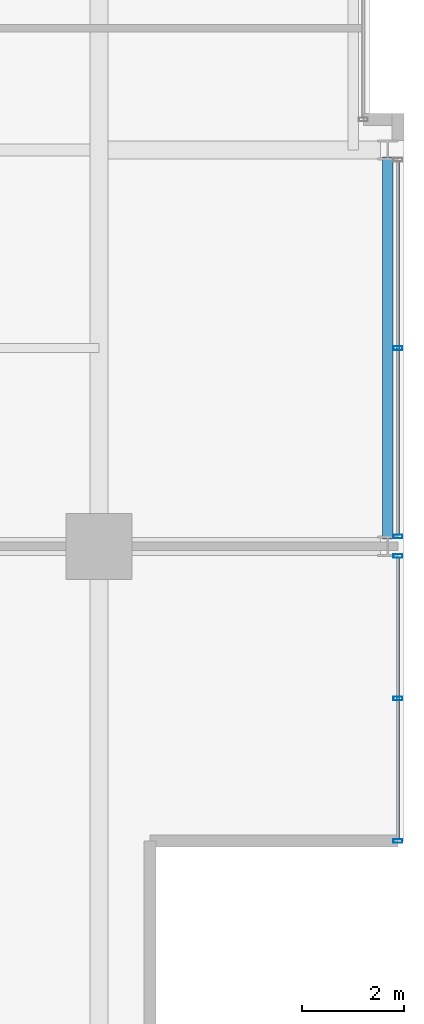
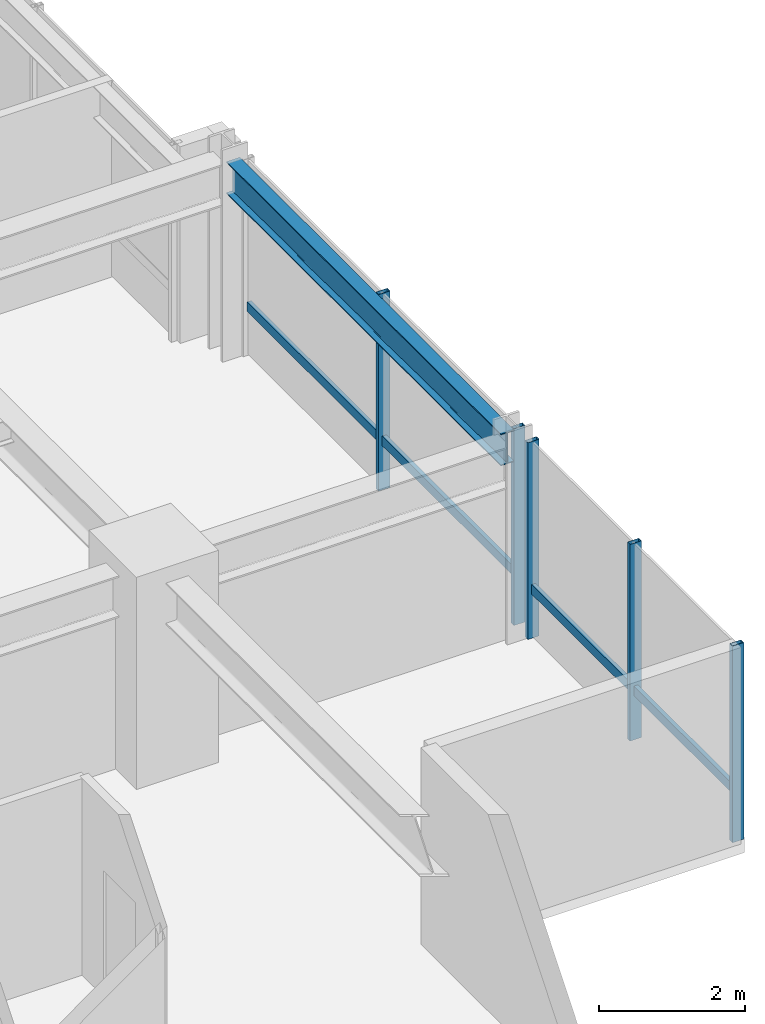
# One storey, part 13 of 31: 7 members, 1 beam, 2 elements without a shape of their own.
"""IFC4 building model written with IfcOpenShell, lengths in metres."""

from ifc_helpers import new_model, si_unit, direction, frame, origin, origin_2d, place, context, subcontext, project, spatial, hollow_rectangle, i_section, extrude, material, layer, layer_set, material_profile, profile_set, type_object, element, aggregate, save


model = new_model("IFC4")

# Units and contexts
model_context = context("Model", 3, precision=1e-05, world=origin(), true_north=direction((0.0, 1.0)))
body_context = subcontext(model_context, "Body", "Model", "MODEL_VIEW")
ifc_project = project(units=[si_unit("LENGTHUNIT", "METRE"), si_unit("AREAUNIT", "SQUARE_METRE"), si_unit("VOLUMEUNIT", "CUBIC_METRE"), si_unit("PLANEANGLEUNIT", "RADIAN"), si_unit("MASSUNIT", "GRAM", prefix="KILO")], contexts=[model_context])

# Site, building, storey
site_placement = place(None, origin())
site = spatial("IfcSite", under=ifc_project, at=site_placement, CompositionType="ELEMENT")
building_placement = place(site_placement, origin())
building = spatial("IfcBuilding", under=site, at=building_placement, Name="Drelvath Grand Hotel", CompositionType="ELEMENT")
storey_placement = place(building_placement, frame((0.0, 0.0, 185.89990234375)))
storey = spatial("IfcBuildingStorey", under=building, at=storey_placement, Name="L48", CompositionType="ELEMENT", Elevation=185.89990234375)

# Curtain wall, member
ifc_material_1 = material(Name="Brushed Pale-Silver Anodised Aluminium Frame", Category="aluminium")
ifc_layer = layer(ifc_material_1, 0.199951171875)
ifc_layer_set = layer_set([ifc_layer], Name="Brushed Pale-Silver Anodised Aluminium Frame")
curtain_wall_type = type_object("IfcCurtainWallType", Name="Stick Curtain Wall CW-04 Brushed Silver Upper-Mid", PredefinedType="NOTDEFINED", material=ifc_layer_set)
curtain_wall_1_placement = place(storey_placement, origin())
curtain_wall_1 = element("IfcCurtainWall", 1, at=curtain_wall_1_placement, inside=storey, type_object=curtain_wall_type, Name="L48 CW-04 Curtain Wall CW04-L48-ES1", PredefinedType="NOTDEFINED")
ifc_material_profile_1 = material_profile(ifc_material_1, hollow_rectangle(XDim=0.06494140625, YDim=0.159912109375, WallThickness=0.00390625, at=origin_2d()), Name="HSS160X65X4")
ifc_profile_set_1 = profile_set([ifc_material_profile_1], Name="Brushed Pale-Silver Anodised Aluminium Frame")
member_type_1 = type_object("IfcMemberType", Name="Curtain Wall Horizontal Transom CW-04 HSS160X65X4", PredefinedType="USERDEFINED", material=ifc_profile_set_1)
member_1_placement = place(storey_placement, frame((22.080078125, 10.568359375, 0.822509765625), z_axis=(0.0, -1.0, 0.0), x_axis=(1.0, 0.0, 0.0)))
member_1 = element("IfcMember", 2, at=member_1_placement, type_object=member_type_1, Name="CW04-L48-ES1 Sill Transom", ObjectType="TRANSOM", PredefinedType="USERDEFINED", context=body_context, shape_type="SweptSolid", body=[
    extrude(hollow_rectangle(XDim=0.06494140625, YDim=0.159912109375, WallThickness=0.00390625, at=origin_2d()), origin(), (0.0, 0.0, 1.0), 5.5283203125),
])

curtain_wall_2_placement = place(storey_placement, origin())
curtain_wall_2 = element("IfcCurtainWall", 3, at=curtain_wall_2_placement, inside=storey, type_object=curtain_wall_type, Name="L48 CW-04 Curtain Wall CW04-L48-ES2", PredefinedType="NOTDEFINED")
member_2_placement = place(storey_placement, frame((22.080078125, 18.368408203125, 0.822509765625), z_axis=(0.0, -1.0, 0.0), x_axis=(1.0, 0.0, 0.0)))
member_2 = element("IfcMember", 4, at=member_2_placement, type_object=member_type_1, Name="CW04-L48-ES2 Sill Transom", ObjectType="TRANSOM", PredefinedType="USERDEFINED", context=body_context, shape_type="SweptSolid", body=[
    extrude(hollow_rectangle(XDim=0.06494140625, YDim=0.159912109375, WallThickness=0.00390625, at=origin_2d()), origin(), (0.0, 0.0, 1.0), 7.336669921875),
])

# Member
ifc_material_profile_2 = material_profile(ifc_material_1, hollow_rectangle(XDim=0.074951171875, YDim=0.179931640625, WallThickness=0.0048828125, at=origin_2d()), Name="HSS180X75X5")
ifc_profile_set_2 = profile_set([ifc_material_profile_2], Name="Brushed Pale-Silver Anodised Aluminium Frame")
member_type_2 = type_object("IfcMemberType", Name="Curtain Wall Vertical Mullion CW-04 HSS180X75X5", PredefinedType="MULLION", material=ifc_profile_set_2)
member_3_placement = place(storey_placement, frame((22.080078125, 10.6083984375, 0.0), z_axis=(0.0, 0.0, 1.0), x_axis=(0.0, 1.0, 0.0)))
member_3 = element("IfcMember", 5, at=member_3_placement, type_object=member_type_2, Name="CW04-L48-ES1 Mullion 1", PredefinedType="MULLION", context=body_context, shape_type="SweptSolid", body=[
    extrude(hollow_rectangle(XDim=0.074951171875, YDim=0.179931640625, WallThickness=0.0048828125, at=origin_2d()), origin(), (0.0, 0.0, 1.0), 3.2900390625),
])

member_4_placement = place(storey_placement, frame((22.080078125, 7.80419921875, 0.0), z_axis=(0.0, 0.0, 1.0), x_axis=(0.0, 1.0, 0.0)))
member_4 = element("IfcMember", 6, at=member_4_placement, type_object=member_type_2, Name="CW04-L48-ES1 Mullion 2", PredefinedType="MULLION", context=body_context, shape_type="SweptSolid", body=[
    extrude(hollow_rectangle(XDim=0.074951171875, YDim=0.179931640625, WallThickness=0.0048828125, at=origin_2d()), origin(), (0.0, 0.0, 1.0), 3.2900390625),
])

member_5_placement = place(storey_placement, frame((22.080078125, 5.0, 0.0), z_axis=(0.0, 0.0, 1.0), x_axis=(0.0, 1.0, 0.0)))
member_5 = element("IfcMember", 7, at=member_5_placement, type_object=member_type_2, Name="CW04-L48-ES1 Mullion 3", PredefinedType="MULLION", context=body_context, shape_type="SweptSolid", body=[
    extrude(hollow_rectangle(XDim=0.074951171875, YDim=0.179931640625, WallThickness=0.0048828125, at=origin_2d()), origin(), (0.0, 0.0, 1.0), 3.2900390625),
])

aggregate(curtain_wall_1, [member_3, member_4, member_5, member_1])

member_6_placement = place(storey_placement, frame((22.080078125, 14.7001953125, 0.0), z_axis=(0.0, 0.0, 1.0), x_axis=(0.0, 1.0, 0.0)))
member_6 = element("IfcMember", 8, at=member_6_placement, type_object=member_type_2, Name="CW04-L48-ES2 Mullion 2", PredefinedType="MULLION", context=body_context, shape_type="SweptSolid", body=[
    extrude(hollow_rectangle(XDim=0.074951171875, YDim=0.179931640625, WallThickness=0.0048828125, at=origin_2d()), origin(), (0.0, 0.0, 1.0), 3.2900390625),
])

member_7_placement = place(storey_placement, frame((22.080078125, 10.99169921875, 0.0), z_axis=(0.0, 0.0, 1.0), x_axis=(0.0, 1.0, 0.0)))
member_7 = element("IfcMember", 9, at=member_7_placement, type_object=member_type_2, Name="CW04-L48-ES2 Mullion 3", PredefinedType="MULLION", context=body_context, shape_type="SweptSolid", body=[
    extrude(hollow_rectangle(XDim=0.074951171875, YDim=0.179931640625, WallThickness=0.0048828125, at=origin_2d()), origin(), (0.0, 0.0, 1.0), 3.2900390625),
])

aggregate(curtain_wall_2, [member_6, member_7, member_2])

# Beam
ifc_material_2 = material(Name="Steel ASTM A992 Gr 50", Category="steel")
ifc_material_profile_3 = material_profile(ifc_material_2, i_section(OverallWidth=0.210205078125, OverallDepth=0.53662109375, WebThickness=0.010986328125, FlangeThickness=0.017333984375, FilletRadius=0.01806640625, at=origin_2d()), Name="W21X68")
ifc_profile_set_3 = profile_set([ifc_material_profile_3], Name="Steel ASTM A992 Gr 50")
beam_type = type_object("IfcBeamType", Name="Perimeter Spandrel Beam W21X68", PredefinedType="SPANDREL", material=ifc_profile_set_3)
beam_placement = place(storey_placement, frame((21.8798828125, 10.93994140625, 3.021728515625), z_axis=(0.0, 1.0, 0.0), x_axis=(-1.0, 0.0, 0.0)))
element("IfcBeam", 10, at=beam_placement, inside=storey, type_object=beam_type, Name="L48 Spandrel East S", PredefinedType="SPANDREL", context=body_context, shape_type="SweptSolid", body=[
    extrude(i_section(OverallWidth=0.210205078125, OverallDepth=0.53662109375, WebThickness=0.010986328125, FlangeThickness=0.017333984375, FilletRadius=0.01806640625, at=origin_2d()), origin(), (0.0, 0.0, 1.0), 7.52001953125),
])

save(model, "model.ifc")
